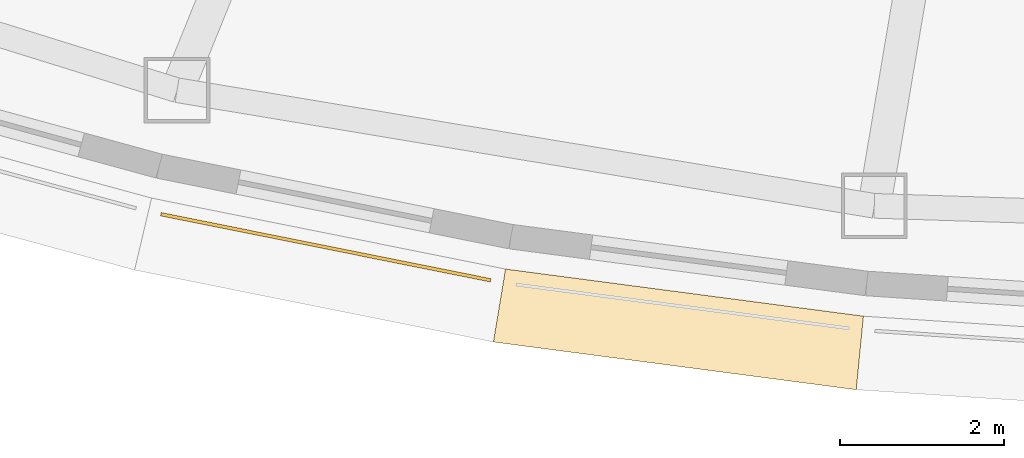
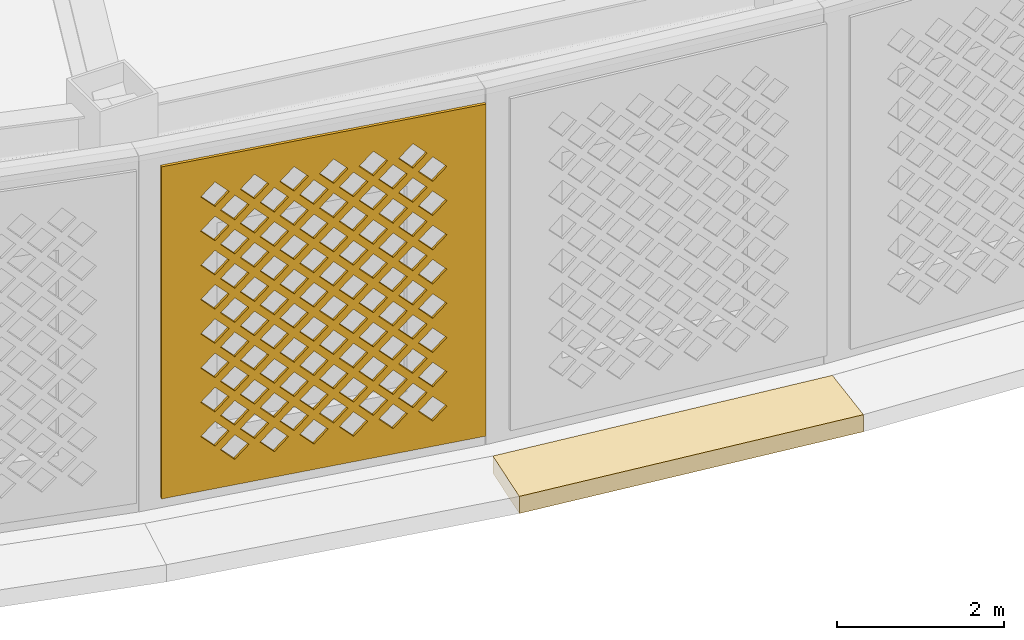
# One storey, part 44 of 63: 2 coverings.
"""IFC4 building model written with IfcOpenShell, lengths in metres."""

from ifc_helpers import new_model, si_unit, direction, frame, origin, place, context, subcontext, project, spatial, polyline, outline, extrude, material, layer, layer_set, type_object, element, save


model = new_model("IFC4")

# Units and contexts
model_context = context("Model", 3, precision=1e-05, world=origin(), true_north=direction((0.0, 1.0)))
body_context = subcontext(model_context, "Body", "Model", "MODEL_VIEW")
ifc_project = project(units=[si_unit("LENGTHUNIT", "METRE"), si_unit("AREAUNIT", "SQUARE_METRE"), si_unit("VOLUMEUNIT", "CUBIC_METRE"), si_unit("PLANEANGLEUNIT", "RADIAN"), si_unit("MASSUNIT", "GRAM", prefix="KILO")], contexts=[model_context])

# Site, building, storey
site_placement = place(None, origin())
site = spatial("IfcSite", under=ifc_project, at=site_placement, CompositionType="ELEMENT")
building_placement = place(site_placement, origin())
building = spatial("IfcBuilding", under=site, at=building_placement, Name="Noorbagh Ring Tower", CompositionType="ELEMENT")
storey_placement = place(building_placement, frame((0.0, 0.0, 25.0)))
storey = spatial("IfcBuildingStorey", under=building, at=storey_placement, Name="L04", CompositionType="ELEMENT", Elevation=25.0)

# Coverings
ifc_material_1 = material(Name="Red sandstone eave", Category="masonry")
covering_type_1 = type_object("IfcCoveringType", Name="STY-CHHAJJA", PredefinedType="USERDEFINED", material=ifc_material_1)
covering_1_placement = place(storey_placement, frame((0.0, 0.0, -0.25)))
element("IfcCovering", 1, at=covering_1_placement, inside=storey, type_object=covering_type_1, Name="Chhajja eave", ObjectType="CHHAJJA", PredefinedType="USERDEFINED", context=body_context, shape_type="SweptSolid", body=[
    extrude(outline(polyline([(-10.945556640625, -39.103759765625), (-6.586181640625, -39.677978515625), (-6.67431640625, -40.573974609375), (-11.093017578125, -39.9921875), (-10.945556640625, -39.103759765625)])), origin(), (0.0, 0.0, 1.0), 0.25),
])
ifc_material_2 = material(Name="Red sandstone jali", Category="masonry")
ifc_layer = layer(ifc_material_2, 0.0400390625)
ifc_layer_set = layer_set([ifc_layer], Name="Red sandstone jali")
covering_type_2 = type_object("IfcCoveringType", Name="STY-JALI", PredefinedType="USERDEFINED", material=ifc_layer_set)
covering_2_placement = place(storey_placement, frame((-15.147216796875, -38.455322265625, 0.449951171875), z_axis=(-0.196528665711, -0.980498079322, 0.0), x_axis=(0.980498079322, -0.196528665711, 0.0)))
element("IfcCovering", 2, at=covering_2_placement, inside=storey, type_object=covering_type_2, Name="Jali screen", ObjectType="SCREEN", PredefinedType="USERDEFINED", context=body_context, shape_type="SweptSolid", body=[
    extrude(outline(polyline([(0.0, 0.0), (4.096923828125, 0.0), (4.096923828125, 4.85009765625), (0.0, 4.85009765625), (0.0, 0.0)]), holes=[polyline([(0.743408203125, 0.550048828125), (0.923583984375, 0.3701171875), (1.103515625, 0.550048828125), (0.923583984375, 0.72998046875), (0.743408203125, 0.550048828125)]), polyline([(1.243408203125, 0.550048828125), (1.423583984375, 0.3701171875), (1.603515625, 0.550048828125), (1.423583984375, 0.72998046875), (1.243408203125, 0.550048828125)]), polyline([(1.743408203125, 0.550048828125), (1.923583984375, 0.3701171875), (2.103515625, 0.550048828125), (1.923583984375, 0.72998046875), (1.743408203125, 0.550048828125)]), polyline([(2.243408203125, 0.550048828125), (2.423583984375, 0.3701171875), (2.603515625, 0.550048828125), (2.423583984375, 0.72998046875), (2.243408203125, 0.550048828125)]), polyline([(2.743408203125, 0.550048828125), (2.923583984375, 0.3701171875), (3.103515625, 0.550048828125), (2.923583984375, 0.72998046875), (2.743408203125, 0.550048828125)]), polyline([(3.243408203125, 0.550048828125), (3.423583984375, 0.3701171875), (3.603515625, 0.550048828125), (3.423583984375, 0.72998046875), (3.243408203125, 0.550048828125)]), polyline([(0.493408203125, 0.800048828125), (0.673583984375, 0.6201171875), (0.853515625, 0.800048828125), (0.673583984375, 0.97998046875), (0.493408203125, 0.800048828125)]), polyline([(0.993408203125, 0.800048828125), (1.173583984375, 0.6201171875), (1.353515625, 0.800048828125), (1.173583984375, 0.97998046875), (0.993408203125, 0.800048828125)]), polyline([(1.493408203125, 0.800048828125), (1.673583984375, 0.6201171875), (1.853515625, 0.800048828125), (1.673583984375, 0.97998046875), (1.493408203125, 0.800048828125)]), polyline([(1.993408203125, 0.800048828125), (2.173583984375, 0.6201171875), (2.353515625, 0.800048828125), (2.173583984375, 0.97998046875), (1.993408203125, 0.800048828125)]), polyline([(2.493408203125, 0.800048828125), (2.673583984375, 0.6201171875), (2.853515625, 0.800048828125), (2.673583984375, 0.97998046875), (2.493408203125, 0.800048828125)]), polyline([(2.993408203125, 0.800048828125), (3.173583984375, 0.6201171875), (3.353515625, 0.800048828125), (3.173583984375, 0.97998046875), (2.993408203125, 0.800048828125)]), polyline([(0.743408203125, 1.050048828125), (0.923583984375, 0.8701171875), (1.103515625, 1.050048828125), (0.923583984375, 1.22998046875), (0.743408203125, 1.050048828125)]), polyline([(1.243408203125, 1.050048828125), (1.423583984375, 0.8701171875), (1.603515625, 1.050048828125), (1.423583984375, 1.22998046875), (1.243408203125, 1.050048828125)]), polyline([(1.743408203125, 1.050048828125), (1.923583984375, 0.8701171875), (2.103515625, 1.050048828125), (1.923583984375, 1.22998046875), (1.743408203125, 1.050048828125)]), polyline([(2.243408203125, 1.050048828125), (2.423583984375, 0.8701171875), (2.603515625, 1.050048828125), (2.423583984375, 1.22998046875), (2.243408203125, 1.050048828125)]), polyline([(2.743408203125, 1.050048828125), (2.923583984375, 0.8701171875), (3.103515625, 1.050048828125), (2.923583984375, 1.22998046875), (2.743408203125, 1.050048828125)]), polyline([(3.243408203125, 1.050048828125), (3.423583984375, 0.8701171875), (3.603515625, 1.050048828125), (3.423583984375, 1.22998046875), (3.243408203125, 1.050048828125)]), polyline([(0.493408203125, 1.300048828125), (0.673583984375, 1.1201171875), (0.853515625, 1.300048828125), (0.673583984375, 1.47998046875), (0.493408203125, 1.300048828125)]), polyline([(0.993408203125, 1.300048828125), (1.173583984375, 1.1201171875), (1.353515625, 1.300048828125), (1.173583984375, 1.47998046875), (0.993408203125, 1.300048828125)]), polyline([(1.493408203125, 1.300048828125), (1.673583984375, 1.1201171875), (1.853515625, 1.300048828125), (1.673583984375, 1.47998046875), (1.493408203125, 1.300048828125)]), polyline([(1.993408203125, 1.300048828125), (2.173583984375, 1.1201171875), (2.353515625, 1.300048828125), (2.173583984375, 1.47998046875), (1.993408203125, 1.300048828125)]), polyline([(2.493408203125, 1.300048828125), (2.673583984375, 1.1201171875), (2.853515625, 1.300048828125), (2.673583984375, 1.47998046875), (2.493408203125, 1.300048828125)]), polyline([(2.993408203125, 1.300048828125), (3.173583984375, 1.1201171875), (3.353515625, 1.300048828125), (3.173583984375, 1.47998046875), (2.993408203125, 1.300048828125)]), polyline([(0.743408203125, 1.550048828125), (0.923583984375, 1.3701171875), (1.103515625, 1.550048828125), (0.923583984375, 1.72998046875), (0.743408203125, 1.550048828125)]), polyline([(1.243408203125, 1.550048828125), (1.423583984375, 1.3701171875), (1.603515625, 1.550048828125), (1.423583984375, 1.72998046875), (1.243408203125, 1.550048828125)]), polyline([(1.743408203125, 1.550048828125), (1.923583984375, 1.3701171875), (2.103515625, 1.550048828125), (1.923583984375, 1.72998046875), (1.743408203125, 1.550048828125)]), polyline([(2.243408203125, 1.550048828125), (2.423583984375, 1.3701171875), (2.603515625, 1.550048828125), (2.423583984375, 1.72998046875), (2.243408203125, 1.550048828125)]), polyline([(2.743408203125, 1.550048828125), (2.923583984375, 1.3701171875), (3.103515625, 1.550048828125), (2.923583984375, 1.72998046875), (2.743408203125, 1.550048828125)]), polyline([(3.243408203125, 1.550048828125), (3.423583984375, 1.3701171875), (3.603515625, 1.550048828125), (3.423583984375, 1.72998046875), (3.243408203125, 1.550048828125)]), polyline([(0.493408203125, 1.800048828125), (0.673583984375, 1.6201171875), (0.853515625, 1.800048828125), (0.673583984375, 1.97998046875), (0.493408203125, 1.800048828125)]), polyline([(0.993408203125, 1.800048828125), (1.173583984375, 1.6201171875), (1.353515625, 1.800048828125), (1.173583984375, 1.97998046875), (0.993408203125, 1.800048828125)]), polyline([(1.493408203125, 1.800048828125), (1.673583984375, 1.6201171875), (1.853515625, 1.800048828125), (1.673583984375, 1.97998046875), (1.493408203125, 1.800048828125)]), polyline([(1.993408203125, 1.800048828125), (2.173583984375, 1.6201171875), (2.353515625, 1.800048828125), (2.173583984375, 1.97998046875), (1.993408203125, 1.800048828125)]), polyline([(2.493408203125, 1.800048828125), (2.673583984375, 1.6201171875), (2.853515625, 1.800048828125), (2.673583984375, 1.97998046875), (2.493408203125, 1.800048828125)]), polyline([(2.993408203125, 1.800048828125), (3.173583984375, 1.6201171875), (3.353515625, 1.800048828125), (3.173583984375, 1.97998046875), (2.993408203125, 1.800048828125)]), polyline([(0.743408203125, 2.050048828125), (0.923583984375, 1.8701171875), (1.103515625, 2.050048828125), (0.923583984375, 2.22998046875), (0.743408203125, 2.050048828125)]), polyline([(1.243408203125, 2.050048828125), (1.423583984375, 1.8701171875), (1.603515625, 2.050048828125), (1.423583984375, 2.22998046875), (1.243408203125, 2.050048828125)]), polyline([(1.743408203125, 2.050048828125), (1.923583984375, 1.8701171875), (2.103515625, 2.050048828125), (1.923583984375, 2.22998046875), (1.743408203125, 2.050048828125)]), polyline([(2.243408203125, 2.050048828125), (2.423583984375, 1.8701171875), (2.603515625, 2.050048828125), (2.423583984375, 2.22998046875), (2.243408203125, 2.050048828125)]), polyline([(2.743408203125, 2.050048828125), (2.923583984375, 1.8701171875), (3.103515625, 2.050048828125), (2.923583984375, 2.22998046875), (2.743408203125, 2.050048828125)]), polyline([(3.243408203125, 2.050048828125), (3.423583984375, 1.8701171875), (3.603515625, 2.050048828125), (3.423583984375, 2.22998046875), (3.243408203125, 2.050048828125)]), polyline([(0.493408203125, 2.300048828125), (0.673583984375, 2.1201171875), (0.853515625, 2.300048828125), (0.673583984375, 2.47998046875), (0.493408203125, 2.300048828125)]), polyline([(0.993408203125, 2.300048828125), (1.173583984375, 2.1201171875), (1.353515625, 2.300048828125), (1.173583984375, 2.47998046875), (0.993408203125, 2.300048828125)]), polyline([(1.493408203125, 2.300048828125), (1.673583984375, 2.1201171875), (1.853515625, 2.300048828125), (1.673583984375, 2.47998046875), (1.493408203125, 2.300048828125)]), polyline([(1.993408203125, 2.300048828125), (2.173583984375, 2.1201171875), (2.353515625, 2.300048828125), (2.173583984375, 2.47998046875), (1.993408203125, 2.300048828125)]), polyline([(2.493408203125, 2.300048828125), (2.673583984375, 2.1201171875), (2.853515625, 2.300048828125), (2.673583984375, 2.47998046875), (2.493408203125, 2.300048828125)]), polyline([(2.993408203125, 2.300048828125), (3.173583984375, 2.1201171875), (3.353515625, 2.300048828125), (3.173583984375, 2.47998046875), (2.993408203125, 2.300048828125)]), polyline([(0.743408203125, 2.550048828125), (0.923583984375, 2.3701171875), (1.103515625, 2.550048828125), (0.923583984375, 2.72998046875), (0.743408203125, 2.550048828125)]), polyline([(1.243408203125, 2.550048828125), (1.423583984375, 2.3701171875), (1.603515625, 2.550048828125), (1.423583984375, 2.72998046875), (1.243408203125, 2.550048828125)]), polyline([(1.743408203125, 2.550048828125), (1.923583984375, 2.3701171875), (2.103515625, 2.550048828125), (1.923583984375, 2.72998046875), (1.743408203125, 2.550048828125)]), polyline([(2.243408203125, 2.550048828125), (2.423583984375, 2.3701171875), (2.603515625, 2.550048828125), (2.423583984375, 2.72998046875), (2.243408203125, 2.550048828125)]), polyline([(2.743408203125, 2.550048828125), (2.923583984375, 2.3701171875), (3.103515625, 2.550048828125), (2.923583984375, 2.72998046875), (2.743408203125, 2.550048828125)]), polyline([(3.243408203125, 2.550048828125), (3.423583984375, 2.3701171875), (3.603515625, 2.550048828125), (3.423583984375, 2.72998046875), (3.243408203125, 2.550048828125)]), polyline([(0.493408203125, 2.800048828125), (0.673583984375, 2.6201171875), (0.853515625, 2.800048828125), (0.673583984375, 2.97998046875), (0.493408203125, 2.800048828125)]), polyline([(0.993408203125, 2.800048828125), (1.173583984375, 2.6201171875), (1.353515625, 2.800048828125), (1.173583984375, 2.97998046875), (0.993408203125, 2.800048828125)]), polyline([(1.493408203125, 2.800048828125), (1.673583984375, 2.6201171875), (1.853515625, 2.800048828125), (1.673583984375, 2.97998046875), (1.493408203125, 2.800048828125)]), polyline([(1.993408203125, 2.800048828125), (2.173583984375, 2.6201171875), (2.353515625, 2.800048828125), (2.173583984375, 2.97998046875), (1.993408203125, 2.800048828125)]), polyline([(2.493408203125, 2.800048828125), (2.673583984375, 2.6201171875), (2.853515625, 2.800048828125), (2.673583984375, 2.97998046875), (2.493408203125, 2.800048828125)]), polyline([(2.993408203125, 2.800048828125), (3.173583984375, 2.6201171875), (3.353515625, 2.800048828125), (3.173583984375, 2.97998046875), (2.993408203125, 2.800048828125)]), polyline([(0.743408203125, 3.050048828125), (0.923583984375, 2.8701171875), (1.103515625, 3.050048828125), (0.923583984375, 3.22998046875), (0.743408203125, 3.050048828125)]), polyline([(1.243408203125, 3.050048828125), (1.423583984375, 2.8701171875), (1.603515625, 3.050048828125), (1.423583984375, 3.22998046875), (1.243408203125, 3.050048828125)]), polyline([(1.743408203125, 3.050048828125), (1.923583984375, 2.8701171875), (2.103515625, 3.050048828125), (1.923583984375, 3.22998046875), (1.743408203125, 3.050048828125)]), polyline([(2.243408203125, 3.050048828125), (2.423583984375, 2.8701171875), (2.603515625, 3.050048828125), (2.423583984375, 3.22998046875), (2.243408203125, 3.050048828125)]), polyline([(2.743408203125, 3.050048828125), (2.923583984375, 2.8701171875), (3.103515625, 3.050048828125), (2.923583984375, 3.22998046875), (2.743408203125, 3.050048828125)]), polyline([(3.243408203125, 3.050048828125), (3.423583984375, 2.8701171875), (3.603515625, 3.050048828125), (3.423583984375, 3.22998046875), (3.243408203125, 3.050048828125)]), polyline([(0.493408203125, 3.300048828125), (0.673583984375, 3.1201171875), (0.853515625, 3.300048828125), (0.673583984375, 3.47998046875), (0.493408203125, 3.300048828125)]), polyline([(0.993408203125, 3.300048828125), (1.173583984375, 3.1201171875), (1.353515625, 3.300048828125), (1.173583984375, 3.47998046875), (0.993408203125, 3.300048828125)]), polyline([(1.493408203125, 3.300048828125), (1.673583984375, 3.1201171875), (1.853515625, 3.300048828125), (1.673583984375, 3.47998046875), (1.493408203125, 3.300048828125)]), polyline([(1.993408203125, 3.300048828125), (2.173583984375, 3.1201171875), (2.353515625, 3.300048828125), (2.173583984375, 3.47998046875), (1.993408203125, 3.300048828125)]), polyline([(2.493408203125, 3.300048828125), (2.673583984375, 3.1201171875), (2.853515625, 3.300048828125), (2.673583984375, 3.47998046875), (2.493408203125, 3.300048828125)]), polyline([(2.993408203125, 3.300048828125), (3.173583984375, 3.1201171875), (3.353515625, 3.300048828125), (3.173583984375, 3.47998046875), (2.993408203125, 3.300048828125)]), polyline([(0.743408203125, 3.550048828125), (0.923583984375, 3.3701171875), (1.103515625, 3.550048828125), (0.923583984375, 3.72998046875), (0.743408203125, 3.550048828125)]), polyline([(1.243408203125, 3.550048828125), (1.423583984375, 3.3701171875), (1.603515625, 3.550048828125), (1.423583984375, 3.72998046875), (1.243408203125, 3.550048828125)]), polyline([(1.743408203125, 3.550048828125), (1.923583984375, 3.3701171875), (2.103515625, 3.550048828125), (1.923583984375, 3.72998046875), (1.743408203125, 3.550048828125)]), polyline([(2.243408203125, 3.550048828125), (2.423583984375, 3.3701171875), (2.603515625, 3.550048828125), (2.423583984375, 3.72998046875), (2.243408203125, 3.550048828125)]), polyline([(2.743408203125, 3.550048828125), (2.923583984375, 3.3701171875), (3.103515625, 3.550048828125), (2.923583984375, 3.72998046875), (2.743408203125, 3.550048828125)]), polyline([(3.243408203125, 3.550048828125), (3.423583984375, 3.3701171875), (3.603515625, 3.550048828125), (3.423583984375, 3.72998046875), (3.243408203125, 3.550048828125)]), polyline([(0.493408203125, 3.800048828125), (0.673583984375, 3.6201171875), (0.853515625, 3.800048828125), (0.673583984375, 3.97998046875), (0.493408203125, 3.800048828125)]), polyline([(0.993408203125, 3.800048828125), (1.173583984375, 3.6201171875), (1.353515625, 3.800048828125), (1.173583984375, 3.97998046875), (0.993408203125, 3.800048828125)]), polyline([(1.493408203125, 3.800048828125), (1.673583984375, 3.6201171875), (1.853515625, 3.800048828125), (1.673583984375, 3.97998046875), (1.493408203125, 3.800048828125)]), polyline([(1.993408203125, 3.800048828125), (2.173583984375, 3.6201171875), (2.353515625, 3.800048828125), (2.173583984375, 3.97998046875), (1.993408203125, 3.800048828125)]), polyline([(2.493408203125, 3.800048828125), (2.673583984375, 3.6201171875), (2.853515625, 3.800048828125), (2.673583984375, 3.97998046875), (2.493408203125, 3.800048828125)]), polyline([(2.993408203125, 3.800048828125), (3.173583984375, 3.6201171875), (3.353515625, 3.800048828125), (3.173583984375, 3.97998046875), (2.993408203125, 3.800048828125)]), polyline([(0.743408203125, 4.050048828125), (0.923583984375, 3.8701171875), (1.103515625, 4.050048828125), (0.923583984375, 4.22998046875), (0.743408203125, 4.050048828125)]), polyline([(1.243408203125, 4.050048828125), (1.423583984375, 3.8701171875), (1.603515625, 4.050048828125), (1.423583984375, 4.22998046875), (1.243408203125, 4.050048828125)]), polyline([(1.743408203125, 4.050048828125), (1.923583984375, 3.8701171875), (2.103515625, 4.050048828125), (1.923583984375, 4.22998046875), (1.743408203125, 4.050048828125)]), polyline([(2.243408203125, 4.050048828125), (2.423583984375, 3.8701171875), (2.603515625, 4.050048828125), (2.423583984375, 4.22998046875), (2.243408203125, 4.050048828125)]), polyline([(2.743408203125, 4.050048828125), (2.923583984375, 3.8701171875), (3.103515625, 4.050048828125), (2.923583984375, 4.22998046875), (2.743408203125, 4.050048828125)]), polyline([(3.243408203125, 4.050048828125), (3.423583984375, 3.8701171875), (3.603515625, 4.050048828125), (3.423583984375, 4.22998046875), (3.243408203125, 4.050048828125)]), polyline([(0.493408203125, 4.300048828125), (0.673583984375, 4.1201171875), (0.853515625, 4.300048828125), (0.673583984375, 4.47998046875), (0.493408203125, 4.300048828125)]), polyline([(0.993408203125, 4.300048828125), (1.173583984375, 4.1201171875), (1.353515625, 4.300048828125), (1.173583984375, 4.47998046875), (0.993408203125, 4.300048828125)]), polyline([(1.493408203125, 4.300048828125), (1.673583984375, 4.1201171875), (1.853515625, 4.300048828125), (1.673583984375, 4.47998046875), (1.493408203125, 4.300048828125)]), polyline([(1.993408203125, 4.300048828125), (2.173583984375, 4.1201171875), (2.353515625, 4.300048828125), (2.173583984375, 4.47998046875), (1.993408203125, 4.300048828125)]), polyline([(2.493408203125, 4.300048828125), (2.673583984375, 4.1201171875), (2.853515625, 4.300048828125), (2.673583984375, 4.47998046875), (2.493408203125, 4.300048828125)]), polyline([(2.993408203125, 4.300048828125), (3.173583984375, 4.1201171875), (3.353515625, 4.300048828125), (3.173583984375, 4.47998046875), (2.993408203125, 4.300048828125)])]), origin(), (0.0, 0.0, -1.0), 0.0400390625),
])

save(model, "model.ifc")
